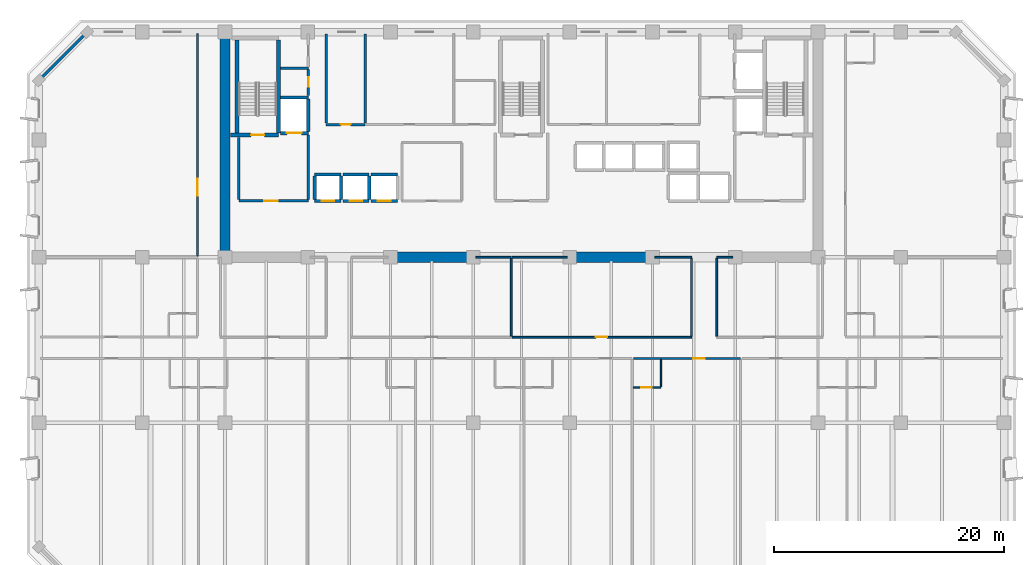
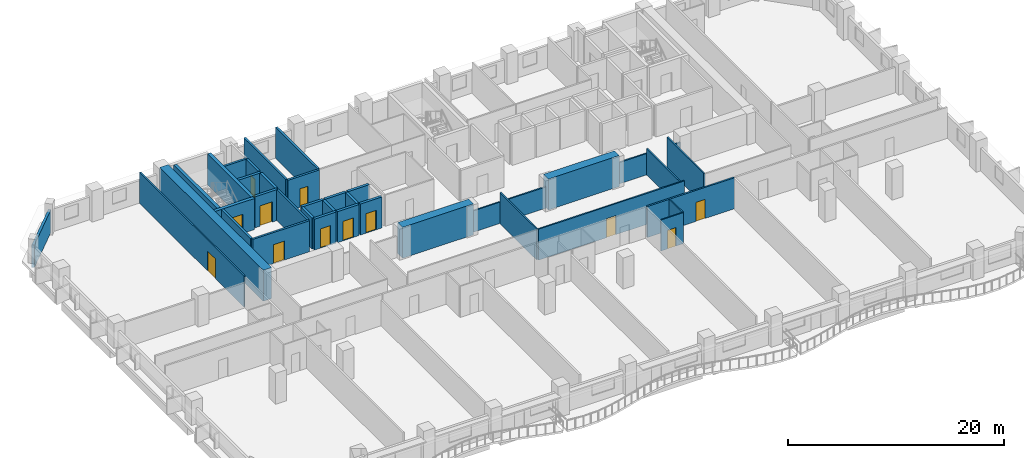
# One storey, part 6 of 14: 39 walls, 12 doors, 12 openings.
"""IFC4 building model written with IfcOpenShell, lengths in metres."""

from ifc_helpers import new_model, si_unit, direction, frame, frame_2d, origin, place, context, subcontext, project, spatial, rectangle, extrude, material, layer, layer_set, type_object, element, fill, save


model = new_model("IFC4")

# Units and contexts
model_context = context("Model", 3, precision=1e-05, world=origin(), true_north=direction((0.0, 1.0)))
body_context = subcontext(model_context, "Body", "Model", "MODEL_VIEW")
ifc_project = project(units=[si_unit("LENGTHUNIT", "METRE"), si_unit("AREAUNIT", "SQUARE_METRE"), si_unit("VOLUMEUNIT", "CUBIC_METRE"), si_unit("PLANEANGLEUNIT", "RADIAN"), si_unit("MASSUNIT", "GRAM", prefix="KILO")], contexts=[model_context])

# Site, building, storey
site_placement = place(None, origin())
site = spatial("IfcSite", under=ifc_project, at=site_placement, CompositionType="ELEMENT")
building_placement = place(site_placement, origin())
building = spatial("IfcBuilding", under=site, at=building_placement, Name="Kaelvorn Grand Hotel", CompositionType="ELEMENT")
storey_placement = place(building_placement, frame((0.0, 0.0, 93.050048828125)))
storey = spatial("IfcBuildingStorey", under=building, at=storey_placement, Name="L21", CompositionType="ELEMENT", Elevation=93.050048828125)

# Walls
ifc_material_1 = material(Name="Concrete C60/75", Category="concrete")
ifc_layer_1 = layer(ifc_material_1, 0.89990234375)
ifc_layer_set_1 = layer_set([ifc_layer_1], Name="Concrete C60/75")
wall_type_1 = type_object("IfcWallType", Name="WL-CORE-900-C60", PredefinedType="SHEAR", material=ifc_layer_set_1)
wall_1_placement = place(storey_placement, frame((16.199951171875, 29.39990234375, 0.0), z_axis=(0.0, 0.0, 1.0), x_axis=(0.0, 1.0, 0.0)))
element("IfcWall", 1, at=wall_1_placement, inside=storey, type_object=wall_type_1, Name="L21 Rear-Core West Shear Wall", PredefinedType="SHEAR", context=body_context, shape_type="SweptSolid", body=[
    extrude(rectangle(XDim=19.2001953125, YDim=0.89990234375, at=frame_2d((9.60009765625, 0.0))), origin(), (0.0, 0.0, 1.0), 3.510009765625),
])
for number, where, z_axis, x_axis, name in (
    (2, (30.39990234375, 29.39990234375, 0.0), (0.0, 0.0, 1.0), (1.0, 0.0, 0.0), "L21 Rear-Core Coupled Shear Pier S2"),
    (3, (46.0, 29.39990234375, 0.0), (0.0, 0.0, 1.0), (1.0, 0.0, 0.0), "L21 Rear-Core Coupled Shear Pier S3"),
):
    element("IfcWall", number, at=place(storey_placement, frame(where, z_axis=z_axis, x_axis=x_axis)), inside=storey, type_object=wall_type_1, Name=name, PredefinedType="SHEAR", context=body_context, shape_type="SweptSolid", body=[
        extrude(rectangle(XDim=7.60009765625, YDim=0.89990234375, at=frame_2d((3.800048828125, 0.0))), origin(), (0.0, 0.0, 1.0), 3.510009765625),
    ])
ifc_material_2 = material(Name="Concrete C40/50", Category="concrete")
ifc_layer_2 = layer(ifc_material_2, 0.260009765625)
ifc_layer_set_2 = layer_set([ifc_layer_2], Name="Concrete C40/50")
wall_type_2 = type_object("IfcWallType", Name="WL-EXT-260-C40", PredefinedType="SOLIDWALL", material=ifc_layer_set_2)
wall_2_placement = place(storey_placement, frame((4.199951171875, 49.0, 0.0), z_axis=(0.0, 0.0, 1.0), x_axis=(-0.707106781187, -0.707106781187, 0.0)))
element("IfcWall", 4, at=wall_2_placement, inside=storey, type_object=wall_type_2, Name="L21 Exterior Architectural Concrete Wall 06", PredefinedType="SOLIDWALL", context=body_context, shape_type="SweptSolid", body=[
    extrude(rectangle(XDim=5.939697265625, YDim=0.260009765625, at=frame_2d((2.9697265625, 0.0))), origin(), (0.0, 0.0, 1.0), 2.56005859375),
])

# Wall, opening, door
ifc_material_3 = material(Name="Moisture-Resistant Tile & Stud Board")
ifc_layer_3 = layer(ifc_material_3, 0.125)
ifc_layer_set_3 = layer_set([ifc_layer_3], Name="Moisture-Resistant Tile & Stud Board")
wall_type_3 = type_object("IfcWallType", Name="WL-PART-125-WET", PredefinedType="PARTITIONING", material=ifc_layer_set_3)
wall_3_placement = place(storey_placement, frame((51.7333984375, 18.050048828125, 0.0), z_axis=(0.0, 0.0, 1.0), x_axis=(1.0, 0.0, 0.0)))
wall_3 = element("IfcWall", 5, at=wall_3_placement, inside=storey, type_object=wall_type_3, Name="L21 En-suite Bathroom L21-06 S Partition", PredefinedType="PARTITIONING", context=body_context, shape_type="SweptSolid", body=[
    extrude(rectangle(XDim=2.405029296875, YDim=0.125, at=frame_2d((1.20263671875, 0.0))), origin(), (0.0, 0.0, 1.0), 3.510009765625),
])
opening_1_placement = place(wall_3_placement, frame((0.705078125, 0.0, 0.0)))
opening_1 = element("IfcOpeningElement", 6, at=opening_1_placement, cuts=wall_3, Name="Opening DI4", PredefinedType="OPENING", context=body_context, shape_type="SweptSolid", body=[
    extrude(rectangle(XDim=0.89990234375, YDim=2.10009765625, at=frame_2d((0.449951171875, 1.050048828125))), frame((0.0, 0.072509765625, 0.0), z_axis=(0.0, -1.0, 0.0), x_axis=(1.0, 0.0, 0.0)), (0.0, 0.0, 1.0), 0.14501953125),
])
ifc_material_4 = material(Name="Timber Veneer Leaf", Category="wood")
door_type_1 = type_object("IfcDoorType", Name="DR-INT-BATH-900x2100", OperationType="NOTDEFINED", PredefinedType="DOOR", material=ifc_material_4)
door_1_placement = place(opening_1_placement, origin())
door_1 = element("IfcDoor", 7, at=door_1_placement, inside=storey, type_object=door_type_1, Name="L21 En-suite Bathroom L21-06 Door", OperationType="SINGLE_SWING_LEFT", OverallHeight=2.10009765625, OverallWidth=0.89990234375, PredefinedType="DOOR", context=body_context, shape_type="SweptSolid", body=[
    extrude(rectangle(XDim=0.89990234375, YDim=2.10009765625, at=frame_2d((0.449951171875, 1.050048828125))), frame((0.0, 0.02490234375, 0.0), z_axis=(0.0, -1.0, 0.0), x_axis=(1.0, 0.0, 0.0)), (0.0, 0.0, 1.0), 0.050048828125),
])
fill(opening_1, door_1)

# Walls
wall_4_placement = place(storey_placement, frame((54.138427734375, 18.117431640625, 0.0), z_axis=(0.0, 0.0, 1.0), x_axis=(0.0, 1.0, 0.0)))
element("IfcWall", 8, at=wall_4_placement, inside=storey, type_object=wall_type_3, Name="L21 En-suite Bathroom L21-06 E Partition", PredefinedType="PARTITIONING", context=body_context, shape_type="SweptSolid", body=[
    extrude(rectangle(XDim=2.387451171875, YDim=0.125, at=frame_2d((1.19384765625, 0.0))), origin(), (0.0, 0.0, 1.0), 3.510009765625),
])
ifc_material_5 = material(Name="Acoustic Gypsum & Stud Partition")
ifc_layer_4 = layer(ifc_material_5, 0.14990234375)
ifc_layer_set_4 = layer_set([ifc_layer_4], Name="Acoustic Gypsum & Stud Partition")
wall_type_4 = type_object("IfcWallType", Name="WL-PART-150-EI60", PredefinedType="PARTITIONING", material=ifc_layer_set_4)
wall_5_placement = place(storey_placement, frame((38.010009765625, 29.39990234375, 0.0), z_axis=(0.0, 0.0, 1.0), x_axis=(1.0, 0.0, 0.0)))
element("IfcWall", 9, at=wall_5_placement, inside=storey, type_object=wall_type_4, Name="L21 Pastry & Tea Kitchen N Partition (2)", PredefinedType="PARTITIONING", context=body_context, shape_type="SweptSolid", body=[
    extrude(rectangle(XDim=3.090087890625, YDim=0.14990234375, at=frame_2d((1.544921875, 0.0))), origin(), (0.0, 0.0, 1.0), 2.409912109375),
])
wall_6_placement = place(storey_placement, frame((41.10009765625, 22.530029296875, 0.0), z_axis=(0.0, 0.0, 1.0), x_axis=(0.0, 1.0, 0.0)))
element("IfcWall", 10, at=wall_6_placement, inside=storey, type_object=wall_type_4, Name="L21 Pastry & Tea Kitchen E Partition", PredefinedType="PARTITIONING", context=body_context, shape_type="SweptSolid", body=[
    extrude(rectangle(XDim=6.7900390625, YDim=0.14990234375, at=frame_2d((3.39501953125, 0.0))), origin(), (0.0, 0.0, 1.0), 3.510009765625),
])

# Wall, opening, door
wall_7_placement = place(storey_placement, frame((41.179931640625, 22.449951171875, 0.0), z_axis=(0.0, 0.0, 1.0), x_axis=(1.0, 0.0, 0.0)))
wall_7 = element("IfcWall", 11, at=wall_7_placement, inside=storey, type_object=wall_type_4, Name="L21 Family Sitting Room S Partition", PredefinedType="PARTITIONING", context=body_context, shape_type="SweptSolid", body=[
    extrude(rectangle(XDim=15.6201171875, YDim=0.14990234375, at=frame_2d((7.81005859375, 0.0))), origin(), (0.0, 0.0, 1.0), 3.510009765625),
])
opening_2_placement = place(wall_7_placement, frame((7.27001953125, 0.0, 0.0)))
opening_2 = element("IfcOpeningElement", 12, at=opening_2_placement, cuts=wall_7, Name="Opening DI3", PredefinedType="OPENING", context=body_context, shape_type="SweptSolid", body=[
    extrude(rectangle(XDim=1.0, YDim=2.14990234375, at=frame_2d((0.5, 1.074951171875))), frame((0.0, 0.0849609375, 0.0), z_axis=(0.0, -1.0, 0.0), x_axis=(1.0, 0.0, 0.0)), (0.0, 0.0, 1.0), 0.169921875),
])
ifc_material_6 = material(Name="Timber Veneer Fire Leaf", Category="wood")
door_type_2 = type_object("IfcDoorType", Name="DR-INT-GUEST-1000x2150", OperationType="NOTDEFINED", PredefinedType="DOOR", material=ifc_material_6)
door_2_placement = place(opening_2_placement, origin())
door_2 = element("IfcDoor", 13, at=door_2_placement, inside=storey, type_object=door_type_2, Name="L21 Family Sitting Room Door", OperationType="SINGLE_SWING_RIGHT", OverallHeight=2.14990234375, OverallWidth=1.0, PredefinedType="DOOR", context=body_context, shape_type="SweptSolid", body=[
    extrude(rectangle(XDim=1.0, YDim=2.14990234375, at=frame_2d((0.5, 1.074951171875))), frame((0.0, 0.02490234375, 0.0), z_axis=(0.0, -1.0, 0.0), x_axis=(1.0, 0.0, 0.0)), (0.0, 0.0, 1.0), 0.050048828125),
])
fill(opening_2, door_2)

# Walls
wall_8_placement = place(storey_placement, frame((41.179931640625, 29.39990234375, 0.0), z_axis=(0.0, 0.0, 1.0), x_axis=(1.0, 0.0, 0.0)))
element("IfcWall", 14, at=wall_8_placement, inside=storey, type_object=wall_type_4, Name="L21 Family Sitting Room N Partition (1)", PredefinedType="PARTITIONING", context=body_context, shape_type="SweptSolid", body=[
    extrude(rectangle(XDim=4.81005859375, YDim=0.14990234375, at=frame_2d((2.405029296875, 0.0))), origin(), (0.0, 0.0, 1.0), 2.409912109375),
])
wall_9_placement = place(storey_placement, frame((53.610107421875, 29.39990234375, 0.0), z_axis=(0.0, 0.0, 1.0), x_axis=(1.0, 0.0, 0.0)))
element("IfcWall", 15, at=wall_9_placement, inside=storey, type_object=wall_type_4, Name="L21 Family Sitting Room N Partition (2)", PredefinedType="PARTITIONING", context=body_context, shape_type="SweptSolid", body=[
    extrude(rectangle(XDim=3.18994140625, YDim=0.14990234375, at=frame_2d((1.594970703125, 0.0))), origin(), (0.0, 0.0, 1.0), 2.409912109375),
])
wall_10_placement = place(storey_placement, frame((56.800048828125, 22.530029296875, 0.0), z_axis=(0.0, 0.0, 1.0), x_axis=(0.0, 1.0, 0.0)))
element("IfcWall", 16, at=wall_10_placement, inside=storey, type_object=wall_type_4, Name="L21 Family Sitting Room E Partition", PredefinedType="PARTITIONING", context=body_context, shape_type="SweptSolid", body=[
    extrude(rectangle(XDim=6.7900390625, YDim=0.14990234375, at=frame_2d((3.39501953125, 0.0))), origin(), (0.0, 0.0, 1.0), 2.976806640625),
])
wall_11_placement = place(storey_placement, frame((59.0, 29.39990234375, 0.0), z_axis=(0.0, 0.0, 1.0), x_axis=(1.0, 0.0, 0.0)))
element("IfcWall", 17, at=wall_11_placement, inside=storey, type_object=wall_type_4, Name="L21 VIP Dining Restaurant N Partition", PredefinedType="PARTITIONING", context=body_context, shape_type="SweptSolid", body=[
    extrude(rectangle(XDim=1.389892578125, YDim=0.14990234375, at=frame_2d((0.69482421875, 0.0))), origin(), (0.0, 0.0, 1.0), 2.409912109375),
])
wall_12_placement = place(storey_placement, frame((59.0, 22.530029296875, 0.0), z_axis=(0.0, 0.0, 1.0), x_axis=(0.0, 1.0, 0.0)))
element("IfcWall", 18, at=wall_12_placement, inside=storey, type_object=wall_type_4, Name="L21 VIP Dining Restaurant W Partition", PredefinedType="PARTITIONING", context=body_context, shape_type="SweptSolid", body=[
    extrude(rectangle(XDim=6.7900390625, YDim=0.14990234375, at=frame_2d((3.39501953125, 0.0))), origin(), (0.0, 0.0, 1.0), 3.510009765625),
])

# Wall, opening, door
wall_13_placement = place(storey_placement, frame((13.800048828125, 29.4951171875, 0.0), z_axis=(0.0, 0.0, 1.0), x_axis=(0.0, 1.0, 0.0)))
wall_13 = element("IfcWall", 19, at=wall_13_placement, inside=storey, type_object=wall_type_4, Name="L21 North-West Family Sitting Room E Partition", PredefinedType="PARTITIONING", context=body_context, shape_type="SweptSolid", body=[
    extrude(rectangle(XDim=19.35498046875, YDim=0.14990234375, at=frame_2d((9.677490234375, 0.0))), origin(), (0.0, 0.0, 1.0), 3.510009765625),
])
opening_3_placement = place(wall_13_placement, frame((5.2548828125, 0.0, 0.0)))
opening_3 = element("IfcOpeningElement", 20, at=opening_3_placement, cuts=wall_13, Name="Opening DI5", PredefinedType="OPENING", context=body_context, shape_type="SweptSolid", body=[
    extrude(rectangle(XDim=1.5, YDim=2.25, at=frame_2d((0.75, 1.125))), frame((0.0, 0.0849609375, 0.0), z_axis=(0.0, -1.0, 0.0), x_axis=(1.0, 0.0, 0.0)), (0.0, 0.0, 1.0), 0.169921875),
])
door_type_3 = type_object("IfcDoorType", Name="DR-INT-SALON-1500x2250", OperationType="DOUBLE_DOOR_SINGLE_SWING", PredefinedType="DOOR", material=ifc_material_6)
door_3_placement = place(opening_3_placement, origin())
door_3 = element("IfcDoor", 21, at=door_3_placement, inside=storey, type_object=door_type_3, Name="L21 North-West Family Sitting Room Door", OperationType="DOUBLE_DOOR_SINGLE_SWING", OverallHeight=2.25, OverallWidth=1.5, PredefinedType="DOOR", context=body_context, shape_type="SweptSolid", body=[
    extrude(rectangle(XDim=1.5, YDim=2.25, at=frame_2d((0.75, 1.125))), frame((0.0, 0.02490234375, 0.0), z_axis=(0.0, -1.0, 0.0), x_axis=(1.0, 0.0, 0.0)), (0.0, 0.0, 1.0), 0.050048828125),
])
fill(opening_3, door_3)

ifc_layer_5 = layer(ifc_material_5, 0.179931640625)
ifc_layer_set_5 = layer_set([ifc_layer_5], Name="Acoustic Gypsum & Stud Partition")
wall_type_5 = type_object("IfcWallType", Name="WL-PART-180-EI60", PredefinedType="PARTITIONING", material=ifc_layer_set_5)
wall_14_placement = place(storey_placement, frame((51.7333984375, 20.60009765625, 0.0), z_axis=(0.0, 0.0, 1.0), x_axis=(1.0, 0.0, 0.0)))
wall_14 = element("IfcWall", 22, at=wall_14_placement, inside=storey, type_object=wall_type_5, Name="L21 Deluxe Panoramic Suite L21-06 N Partition", PredefinedType="PARTITIONING", context=body_context, shape_type="SweptSolid", body=[
    extrude(rectangle(XDim=9.3427734375, YDim=0.179931640625, at=frame_2d((4.67138671875, 0.0))), origin(), (0.0, 0.0, 1.0), 3.510009765625),
])
opening_4_placement = place(wall_14_placement, frame((5.19580078125, 0.0, 0.0)))
opening_4 = element("IfcOpeningElement", 23, at=opening_4_placement, cuts=wall_14, Name="Opening DI3", PredefinedType="OPENING", context=body_context, shape_type="SweptSolid", body=[
    extrude(rectangle(XDim=1.0, YDim=2.14990234375, at=frame_2d((0.5, 1.074951171875))), frame((0.0, 0.10009765625, 0.0), z_axis=(0.0, -1.0, 0.0), x_axis=(1.0, 0.0, 0.0)), (0.0, 0.0, 1.0), 0.199951171875),
])
door_4_placement = place(opening_4_placement, origin())
door_4 = element("IfcDoor", 24, at=door_4_placement, inside=storey, type_object=door_type_2, Name="L21 Deluxe Panoramic Suite L21-06 Door", OperationType="SINGLE_SWING_RIGHT", OverallHeight=2.14990234375, OverallWidth=1.0, PredefinedType="DOOR", context=body_context, shape_type="SweptSolid", body=[
    extrude(rectangle(XDim=1.0, YDim=2.14990234375, at=frame_2d((0.5, 1.074951171875))), frame((0.0, 0.02490234375, 0.0), z_axis=(0.0, -1.0, 0.0), x_axis=(1.0, 0.0, 0.0)), (0.0, 0.0, 1.0), 0.050048828125),
])
fill(opening_4, door_4)

ifc_layer_6 = layer(ifc_material_2, 0.219970703125)
ifc_layer_set_6 = layer_set([ifc_layer_6], Name="Concrete C40/50")
wall_type_6 = type_object("IfcWallType", Name="WL-PART-220-EI120", PredefinedType="PARTITIONING", material=ifc_layer_set_6)
wall_15_placement = place(storey_placement, frame((17.39990234375, 34.300048828125, 0.0), z_axis=(0.0, 0.0, 1.0), x_axis=(1.0, 0.0, 0.0)))
wall_15 = element("IfcWall", 25, at=wall_15_placement, inside=storey, type_object=wall_type_6, Name="L21 Firefighting Lift Lobby 1 S Partition", PredefinedType="PARTITIONING", context=body_context, shape_type="SweptSolid", body=[
    extrude(rectangle(XDim=6.050048828125, YDim=0.219970703125, at=frame_2d((3.02490234375, 0.0))), origin(), (0.0, 0.0, 1.0), 3.510009765625),
])
opening_5_placement = place(wall_15_placement, frame((2.199951171875, 0.0, 0.0)))
opening_5 = element("IfcOpeningElement", 26, at=opening_5_placement, cuts=wall_15, Name="Opening DI2", PredefinedType="OPENING", context=body_context, shape_type="SweptSolid", body=[
    extrude(rectangle(XDim=1.199951171875, YDim=2.14990234375, at=frame_2d((0.60009765625, 1.074951171875))), frame((0.0, 0.1201171875, 0.0), z_axis=(0.0, -1.0, 0.0), x_axis=(1.0, 0.0, 0.0)), (0.0, 0.0, 1.0), 0.239990234375),
])
door_type_4 = type_object("IfcDoorType", Name="DR-INT-FFLOB-1200x2150", OperationType="NOTDEFINED", PredefinedType="DOOR", material=ifc_material_6)
door_5_placement = place(opening_5_placement, origin())
door_5 = element("IfcDoor", 27, at=door_5_placement, inside=storey, type_object=door_type_4, Name="L21 Firefighting Lift Lobby 1 Door", OperationType="SINGLE_SWING_RIGHT", OverallHeight=2.14990234375, OverallWidth=1.199951171875, PredefinedType="DOOR", context=body_context, shape_type="SweptSolid", body=[
    extrude(rectangle(XDim=1.199951171875, YDim=2.14990234375, at=frame_2d((0.60009765625, 1.074951171875))), frame((0.0, 0.02490234375, 0.0), z_axis=(0.0, -1.0, 0.0), x_axis=(1.0, 0.0, 0.0)), (0.0, 0.0, 1.0), 0.050048828125),
])
fill(opening_5, door_5)

# Walls
wall_16_placement = place(storey_placement, frame((17.39990234375, 34.4150390625, 0.0), z_axis=(0.0, 0.0, 1.0), x_axis=(0.0, 1.0, 0.0)))
element("IfcWall", 28, at=wall_16_placement, inside=storey, type_object=wall_type_6, Name="L21 Firefighting Lift Lobby 1 W Partition", PredefinedType="PARTITIONING", context=body_context, shape_type="SweptSolid", body=[
    extrude(rectangle(XDim=5.429931640625, YDim=0.219970703125, at=frame_2d((2.71484375, 0.0))), origin(), (0.0, 0.0, 1.0), 3.510009765625),
])
wall_17_placement = place(storey_placement, frame((23.449951171875, 34.4150390625, 0.0), z_axis=(0.0, 0.0, 1.0), x_axis=(0.0, 1.0, 0.0)))
element("IfcWall", 29, at=wall_17_placement, inside=storey, type_object=wall_type_6, Name="L21 Firefighting Lift Lobby 1 E Partition", PredefinedType="PARTITIONING", context=body_context, shape_type="SweptSolid", body=[
    extrude(rectangle(XDim=5.639892578125, YDim=0.219970703125, at=frame_2d((2.81982421875, 0.0))), origin(), (0.0, 0.0, 1.0), 3.510009765625),
])
wall_18_placement = place(storey_placement, frame((21.034912109375, 45.85009765625, 0.0), z_axis=(0.0, 0.0, 1.0), x_axis=(1.0, 0.0, 0.0)))
element("IfcWall", 30, at=wall_18_placement, inside=storey, type_object=wall_type_6, Name="L21 Wet Fire & Plumbing Riser Shaft N Partition", PredefinedType="PARTITIONING", context=body_context, shape_type="SweptSolid", body=[
    extrude(rectangle(XDim=2.4150390625, YDim=0.219970703125, at=frame_2d((1.20751953125, 0.0))), origin(), (0.0, 0.0, 1.0), 3.510009765625),
])

# Wall, opening, door
wall_19_placement = place(storey_placement, frame((23.449951171875, 43.5, 0.0), z_axis=(0.0, 0.0, 1.0), x_axis=(0.0, 1.0, 0.0)))
wall_19 = element("IfcWall", 31, at=wall_19_placement, inside=storey, type_object=wall_type_6, Name="L21 Wet Fire & Plumbing Riser Shaft E Partition", PredefinedType="PARTITIONING", context=body_context, shape_type="SweptSolid", body=[
    extrude(rectangle(XDim=2.235107421875, YDim=0.219970703125, at=frame_2d((1.11767578125, 0.0))), origin(), (0.0, 0.0, 1.0), 3.510009765625),
])
opening_6_placement = place(wall_19_placement, frame((0.72509765625, 0.0, 0.0)))
opening_6 = element("IfcOpeningElement", 32, at=opening_6_placement, cuts=wall_19, Name="Opening DI7", PredefinedType="OPENING", context=body_context, shape_type="SweptSolid", body=[
    extrude(rectangle(XDim=0.85009765625, YDim=2.10009765625, at=frame_2d((0.425048828125, 1.050048828125))), frame((0.0, 0.1201171875, 0.0), z_axis=(0.0, -1.0, 0.0), x_axis=(1.0, 0.0, 0.0)), (0.0, 0.0, 1.0), 0.239990234375),
])
ifc_material_7 = material(Name="Powder-Coated Steel Leaf", Category="steel")
door_type_5 = type_object("IfcDoorType", Name="DR-INT-RISER-850x2100", OperationType="NOTDEFINED", PredefinedType="DOOR", material=ifc_material_7)
door_6_placement = place(opening_6_placement, origin())
door_6 = element("IfcDoor", 33, at=door_6_placement, inside=storey, type_object=door_type_5, Name="L21 Wet Fire & Plumbing Riser Shaft Door", OperationType="SINGLE_SWING_RIGHT", OverallHeight=2.10009765625, OverallWidth=0.85009765625, PredefinedType="DOOR", context=body_context, shape_type="SweptSolid", body=[
    extrude(rectangle(XDim=0.85009765625, YDim=2.10009765625, at=frame_2d((0.425048828125, 1.050048828125))), frame((0.0, 0.02490234375, 0.0), z_axis=(0.0, -1.0, 0.0), x_axis=(1.0, 0.0, 0.0)), (0.0, 0.0, 1.0), 0.050048828125),
])
fill(opening_6, door_6)

wall_20_placement = place(storey_placement, frame((25.0, 40.949951171875, 0.0), z_axis=(0.0, 0.0, 1.0), x_axis=(1.0, 0.0, 0.0)))
wall_20 = element("IfcWall", 34, at=wall_20_placement, inside=storey, type_object=wall_type_6, Name="L21 Electrical Distribution Room S Partition", PredefinedType="PARTITIONING", context=body_context, shape_type="SweptSolid", body=[
    extrude(rectangle(XDim=3.39990234375, YDim=0.219970703125, at=frame_2d((1.699951171875, 0.0))), origin(), (0.0, 0.0, 1.0), 3.510009765625),
])
opening_7_placement = place(wall_20_placement, frame((1.27490234375, 0.0, 0.0)))
opening_7 = element("IfcOpeningElement", 35, at=opening_7_placement, cuts=wall_20, Name="Opening DI7", PredefinedType="OPENING", context=body_context, shape_type="SweptSolid", body=[
    extrude(rectangle(XDim=0.85009765625, YDim=2.10009765625, at=frame_2d((0.425048828125, 1.050048828125))), frame((0.0, 0.1201171875, 0.0), z_axis=(0.0, -1.0, 0.0), x_axis=(1.0, 0.0, 0.0)), (0.0, 0.0, 1.0), 0.239990234375),
])
door_7_placement = place(opening_7_placement, origin())
door_7 = element("IfcDoor", 36, at=door_7_placement, inside=storey, type_object=door_type_5, Name="L21 Electrical Distribution Room Door", OperationType="SINGLE_SWING_LEFT", OverallHeight=2.10009765625, OverallWidth=0.85009765625, PredefinedType="DOOR", context=body_context, shape_type="SweptSolid", body=[
    extrude(rectangle(XDim=0.85009765625, YDim=2.10009765625, at=frame_2d((0.425048828125, 1.050048828125))), frame((0.0, 0.02490234375, 0.0), z_axis=(0.0, -1.0, 0.0), x_axis=(1.0, 0.0, 0.0)), (0.0, 0.0, 1.0), 0.050048828125),
])
fill(opening_7, door_7)

# Walls
for number, where, z_axis, x_axis, name in (
    (37, (25.0, 41.06494140625, 0.0), (0.0, 0.0, 1.0), (0.0, 1.0, 0.0), "L21 Electrical Distribution Room W Partition"),
    (38, (28.39990234375, 41.06494140625, 0.0), (0.0, 0.0, 1.0), (0.0, 1.0, 0.0), "L21 Electrical Distribution Room E Partition"),
):
    element("IfcWall", number, at=place(storey_placement, frame(where, z_axis=z_axis, x_axis=x_axis)), inside=storey, type_object=wall_type_6, Name=name, PredefinedType="PARTITIONING", context=body_context, shape_type="SweptSolid", body=[
        extrude(rectangle(XDim=7.78515625, YDim=0.219970703125, at=frame_2d((3.892578125, 0.0))), origin(), (0.0, 0.0, 1.0), 3.510009765625),
    ])

# Wall, opening, door
ifc_material_8 = material(Name="Concrete C50/60", Category="concrete")
ifc_layer_7 = layer(ifc_material_8, 0.280029296875)
ifc_layer_set_7 = layer_set([ifc_layer_7], Name="Concrete C50/60")
wall_type_7 = type_object("IfcWallType", Name="WL-SHAFT-280-C50", PredefinedType="SHEAR", material=ifc_layer_set_7)
wall_21_placement = place(storey_placement, frame((24.0, 34.300048828125, 0.0), z_axis=(0.0, 0.0, 1.0), x_axis=(1.0, 0.0, 0.0)))
wall_21 = element("IfcWall", 39, at=wall_21_placement, inside=storey, type_object=wall_type_7, Name="L21 Lift PL-L1 Shaft South Wall", PredefinedType="SHEAR", context=body_context, shape_type="SweptSolid", body=[
    extrude(rectangle(XDim=2.300048828125, YDim=0.280029296875, at=frame_2d((1.14990234375, 0.0))), origin(), (0.0, 0.0, 1.0), 3.510009765625),
])
opening_8_placement = place(wall_21_placement, frame((0.60009765625, 0.0, 0.0)))
opening_8 = element("IfcOpeningElement", 40, at=opening_8_placement, cuts=wall_21, Name="Opening LD-PL-L1", PredefinedType="OPENING", context=body_context, shape_type="SweptSolid", body=[
    extrude(rectangle(XDim=1.10009765625, YDim=2.199951171875, at=frame_2d((0.550048828125, 1.10009765625))), frame((0.0, 0.14990234375, 0.0), z_axis=(0.0, -1.0, 0.0), x_axis=(1.0, 0.0, 0.0)), (0.0, 0.0, 1.0), 0.300048828125),
])
ifc_material_9 = material(Name="Stainless Steel", Category="steel")
door_type_6 = type_object("IfcDoorType", Name="DR-LIFT-PASS-1100x2200", OperationType="DOUBLE_DOOR_SLIDING", PredefinedType="DOOR", material=ifc_material_9)
door_8_placement = place(opening_8_placement, origin())
door_8 = element("IfcDoor", 41, at=door_8_placement, inside=storey, type_object=door_type_6, Name="L21 Lift PL-L1 Sliding Landing Door LD-PL-L1", OperationType="DOUBLE_DOOR_SLIDING", OverallHeight=2.199951171875, OverallWidth=1.10009765625, PredefinedType="DOOR", context=body_context, shape_type="SweptSolid", body=[
    extrude(rectangle(XDim=1.10009765625, YDim=2.199951171875, at=frame_2d((0.550048828125, 1.10009765625))), frame((0.0, 0.02490234375, 0.0), z_axis=(0.0, -1.0, 0.0), x_axis=(1.0, 0.0, 0.0)), (0.0, 0.0, 1.0), 0.050048828125),
])
fill(opening_8, door_8)

# Walls
wall_22_placement = place(storey_placement, frame((24.0, 36.60009765625, 0.0), z_axis=(0.0, 0.0, 1.0), x_axis=(1.0, 0.0, 0.0)))
element("IfcWall", 42, at=wall_22_placement, inside=storey, type_object=wall_type_7, Name="L21 Lift PL-L1 Shaft North Wall", PredefinedType="SHEAR", context=body_context, shape_type="SweptSolid", body=[
    extrude(rectangle(XDim=2.300048828125, YDim=0.280029296875, at=frame_2d((1.14990234375, 0.0))), origin(), (0.0, 0.0, 1.0), 3.510009765625),
])
for number, where, z_axis, x_axis, name in (
    (43, (24.0, 34.445068359375, 0.0), (0.0, 0.0, 1.0), (0.0, 1.0, 0.0), "L21 Lift PL-L1 Shaft West Wall"),
    (44, (26.300048828125, 34.445068359375, 0.0), (0.0, 0.0, 1.0), (0.0, 1.0, 0.0), "L21 Lift PL-L1 Shaft East Wall"),
):
    element("IfcWall", number, at=place(storey_placement, frame(where, z_axis=z_axis, x_axis=x_axis)), inside=storey, type_object=wall_type_7, Name=name, PredefinedType="SHEAR", context=body_context, shape_type="SweptSolid", body=[
        extrude(rectangle(XDim=2.010009765625, YDim=0.280029296875, at=frame_2d((1.0048828125, 0.0))), origin(), (0.0, 0.0, 1.0), 3.510009765625),
    ])

# Wall, opening, door
wall_23_placement = place(storey_placement, frame((26.449951171875, 34.300048828125, 0.0), z_axis=(0.0, 0.0, 1.0), x_axis=(1.0, 0.0, 0.0)))
wall_23 = element("IfcWall", 45, at=wall_23_placement, inside=storey, type_object=wall_type_7, Name="L21 Lift PL-L2 Shaft South Wall", PredefinedType="SHEAR", context=body_context, shape_type="SweptSolid", body=[
    extrude(rectangle(XDim=2.300048828125, YDim=0.280029296875, at=frame_2d((1.14990234375, 0.0))), origin(), (0.0, 0.0, 1.0), 3.510009765625),
])
opening_9_placement = place(wall_23_placement, frame((0.60009765625, 0.0, 0.0)))
opening_9 = element("IfcOpeningElement", 46, at=opening_9_placement, cuts=wall_23, Name="Opening LD-PL-L2", PredefinedType="OPENING", context=body_context, shape_type="SweptSolid", body=[
    extrude(rectangle(XDim=1.10009765625, YDim=2.199951171875, at=frame_2d((0.550048828125, 1.10009765625))), frame((0.0, 0.14990234375, 0.0), z_axis=(0.0, -1.0, 0.0), x_axis=(1.0, 0.0, 0.0)), (0.0, 0.0, 1.0), 0.300048828125),
])
door_9_placement = place(opening_9_placement, origin())
door_9 = element("IfcDoor", 47, at=door_9_placement, inside=storey, type_object=door_type_6, Name="L21 Lift PL-L2 Sliding Landing Door LD-PL-L2", OperationType="DOUBLE_DOOR_SLIDING", OverallHeight=2.199951171875, OverallWidth=1.10009765625, PredefinedType="DOOR", context=body_context, shape_type="SweptSolid", body=[
    extrude(rectangle(XDim=1.10009765625, YDim=2.199951171875, at=frame_2d((0.550048828125, 1.10009765625))), frame((0.0, 0.02490234375, 0.0), z_axis=(0.0, -1.0, 0.0), x_axis=(1.0, 0.0, 0.0)), (0.0, 0.0, 1.0), 0.050048828125),
])
fill(opening_9, door_9)

# Walls
wall_24_placement = place(storey_placement, frame((26.449951171875, 36.60009765625, 0.0), z_axis=(0.0, 0.0, 1.0), x_axis=(1.0, 0.0, 0.0)))
element("IfcWall", 48, at=wall_24_placement, inside=storey, type_object=wall_type_7, Name="L21 Lift PL-L2 Shaft North Wall", PredefinedType="SHEAR", context=body_context, shape_type="SweptSolid", body=[
    extrude(rectangle(XDim=2.300048828125, YDim=0.280029296875, at=frame_2d((1.14990234375, 0.0))), origin(), (0.0, 0.0, 1.0), 3.510009765625),
])
wall_25_placement = place(storey_placement, frame((28.75, 34.445068359375, 0.0), z_axis=(0.0, 0.0, 1.0), x_axis=(0.0, 1.0, 0.0)))
element("IfcWall", 49, at=wall_25_placement, inside=storey, type_object=wall_type_7, Name="L21 Lift PL-L2 Shaft East Wall", PredefinedType="SHEAR", context=body_context, shape_type="SweptSolid", body=[
    extrude(rectangle(XDim=2.010009765625, YDim=0.280029296875, at=frame_2d((1.0048828125, 0.0))), origin(), (0.0, 0.0, 1.0), 3.510009765625),
])

# Wall, opening, door
wall_26_placement = place(storey_placement, frame((28.89990234375, 34.300048828125, 0.0), z_axis=(0.0, 0.0, 1.0), x_axis=(1.0, 0.0, 0.0)))
wall_26 = element("IfcWall", 50, at=wall_26_placement, inside=storey, type_object=wall_type_7, Name="L21 Lift PL-L3 Shaft South Wall", PredefinedType="SHEAR", context=body_context, shape_type="SweptSolid", body=[
    extrude(rectangle(XDim=2.300048828125, YDim=0.280029296875, at=frame_2d((1.14990234375, 0.0))), origin(), (0.0, 0.0, 1.0), 3.510009765625),
])
opening_10_placement = place(wall_26_placement, frame((0.60009765625, 0.0, 0.0)))
opening_10 = element("IfcOpeningElement", 51, at=opening_10_placement, cuts=wall_26, Name="Opening LD-PL-L3", PredefinedType="OPENING", context=body_context, shape_type="SweptSolid", body=[
    extrude(rectangle(XDim=1.10009765625, YDim=2.199951171875, at=frame_2d((0.550048828125, 1.10009765625))), frame((0.0, 0.14990234375, 0.0), z_axis=(0.0, -1.0, 0.0), x_axis=(1.0, 0.0, 0.0)), (0.0, 0.0, 1.0), 0.300048828125),
])
door_10_placement = place(opening_10_placement, origin())
door_10 = element("IfcDoor", 52, at=door_10_placement, inside=storey, type_object=door_type_6, Name="L21 Lift PL-L3 Sliding Landing Door LD-PL-L3", OperationType="DOUBLE_DOOR_SLIDING", OverallHeight=2.199951171875, OverallWidth=1.10009765625, PredefinedType="DOOR", context=body_context, shape_type="SweptSolid", body=[
    extrude(rectangle(XDim=1.10009765625, YDim=2.199951171875, at=frame_2d((0.550048828125, 1.10009765625))), frame((0.0, 0.02490234375, 0.0), z_axis=(0.0, -1.0, 0.0), x_axis=(1.0, 0.0, 0.0)), (0.0, 0.0, 1.0), 0.050048828125),
])
fill(opening_10, door_10)

# Wall
wall_27_placement = place(storey_placement, frame((28.89990234375, 36.60009765625, 0.0), z_axis=(0.0, 0.0, 1.0), x_axis=(1.0, 0.0, 0.0)))
element("IfcWall", 53, at=wall_27_placement, inside=storey, type_object=wall_type_7, Name="L21 Lift PL-L3 Shaft North Wall", PredefinedType="SHEAR", context=body_context, shape_type="SweptSolid", body=[
    extrude(rectangle(XDim=2.300048828125, YDim=0.280029296875, at=frame_2d((1.14990234375, 0.0))), origin(), (0.0, 0.0, 1.0), 3.510009765625),
])

# Wall, opening, door
wall_28_placement = place(storey_placement, frame((21.034912109375, 40.199951171875, 0.0), z_axis=(0.0, 0.0, 1.0), x_axis=(1.0, 0.0, 0.0)))
wall_28 = element("IfcWall", 54, at=wall_28_placement, inside=storey, type_object=wall_type_7, Name="L21 Lift FFL1 Shaft South Wall", PredefinedType="SHEAR", context=body_context, shape_type="SweptSolid", body=[
    extrude(rectangle(XDim=2.4150390625, YDim=0.280029296875, at=frame_2d((1.20751953125, 0.0))), origin(), (0.0, 0.0, 1.0), 3.510009765625),
])
opening_11_placement = place(wall_28_placement, frame((0.5400390625, 0.0, 0.0)))
opening_11 = element("IfcOpeningElement", 55, at=opening_11_placement, cuts=wall_28, Name="Opening LD-FFL1", PredefinedType="OPENING", context=body_context, shape_type="SweptSolid", body=[
    extrude(rectangle(XDim=1.300048828125, YDim=2.300048828125, at=frame_2d((0.64990234375, 1.14990234375))), frame((0.0, 0.14990234375, 0.0), z_axis=(0.0, -1.0, 0.0), x_axis=(1.0, 0.0, 0.0)), (0.0, 0.0, 1.0), 0.300048828125),
])
door_type_7 = type_object("IfcDoorType", Name="DR-LIFT-SERV-1300x2300", OperationType="DOUBLE_DOOR_SLIDING", PredefinedType="DOOR", material=ifc_material_9)
door_11_placement = place(opening_11_placement, origin())
door_11 = element("IfcDoor", 56, at=door_11_placement, inside=storey, type_object=door_type_7, Name="L21 Lift FFL1 Sliding Landing Door LD-FFL1", OperationType="DOUBLE_DOOR_SLIDING", OverallHeight=2.300048828125, OverallWidth=1.300048828125, PredefinedType="DOOR", context=body_context, shape_type="SweptSolid", body=[
    extrude(rectangle(XDim=1.300048828125, YDim=2.300048828125, at=frame_2d((0.64990234375, 1.14990234375))), frame((0.0, 0.02490234375, 0.0), z_axis=(0.0, -1.0, 0.0), x_axis=(1.0, 0.0, 0.0)), (0.0, 0.0, 1.0), 0.050048828125),
])
fill(opening_11, door_11)

# Walls
wall_29_placement = place(storey_placement, frame((21.034912109375, 43.300048828125, 0.0), z_axis=(0.0, 0.0, 1.0), x_axis=(1.0, 0.0, 0.0)))
element("IfcWall", 57, at=wall_29_placement, inside=storey, type_object=wall_type_7, Name="L21 Lift FFL1 Shaft North Wall", PredefinedType="SHEAR", context=body_context, shape_type="SweptSolid", body=[
    extrude(rectangle(XDim=2.4150390625, YDim=0.280029296875, at=frame_2d((1.20751953125, 0.0))), origin(), (0.0, 0.0, 1.0), 3.510009765625),
])
wall_30_placement = place(storey_placement, frame((23.449951171875, 40.344970703125, 0.0), z_axis=(0.0, 0.0, 1.0), x_axis=(0.0, 1.0, 0.0)))
element("IfcWall", 58, at=wall_30_placement, inside=storey, type_object=wall_type_7, Name="L21 Lift FFL1 Shaft East Wall", PredefinedType="SHEAR", context=body_context, shape_type="SweptSolid", body=[
    extrude(rectangle(XDim=2.81005859375, YDim=0.280029296875, at=frame_2d((1.405029296875, 0.0))), origin(), (0.0, 0.0, 1.0), 3.510009765625),
])

# Wall, opening, door
ifc_layer_8 = layer(ifc_material_1, 0.35009765625)
ifc_layer_set_8 = layer_set([ifc_layer_8], Name="Concrete C60/75")
wall_type_8 = type_object("IfcWallType", Name="WL-SHAFT-350-C60", PredefinedType="SHEAR", material=ifc_layer_set_8)
wall_31_placement = place(storey_placement, frame((16.655029296875, 40.02490234375, 0.0), z_axis=(0.0, 0.0, 1.0), x_axis=(1.0, 0.0, 0.0)))
wall_31 = element("IfcWall", 59, at=wall_31_placement, inside=storey, type_object=wall_type_8, Name="L21 ST1 Stair Shaft South Wall", PredefinedType="SHEAR", context=body_context, shape_type="SweptSolid", body=[
    extrude(rectangle(XDim=4.199951171875, YDim=0.35009765625, at=frame_2d((2.10009765625, 0.0))), origin(), (0.0, 0.0, 1.0), 3.510009765625),
])
opening_12_placement = place(wall_31_placement, frame((1.81005859375, 0.0, 0.0)))
opening_12 = element("IfcOpeningElement", 60, at=opening_12_placement, cuts=wall_31, Name="Opening DI1", PredefinedType="OPENING", context=body_context, shape_type="SweptSolid", body=[
    extrude(rectangle(XDim=1.14990234375, YDim=2.14990234375, at=frame_2d((0.574951171875, 1.074951171875))), frame((0.0, 0.18505859375, 0.0), z_axis=(0.0, -1.0, 0.0), x_axis=(1.0, 0.0, 0.0)), (0.0, 0.0, 1.0), 0.3701171875),
])
door_type_8 = type_object("IfcDoorType", Name="DR-INT-STAIR-1150x2150", OperationType="NOTDEFINED", PredefinedType="DOOR", material=ifc_material_6)
door_12_placement = place(opening_12_placement, origin())
door_12 = element("IfcDoor", 61, at=door_12_placement, inside=storey, type_object=door_type_8, Name="L21 ST1 Exit Stair Fire Door", OperationType="SINGLE_SWING_LEFT", OverallHeight=2.14990234375, OverallWidth=1.14990234375, PredefinedType="DOOR", context=body_context, shape_type="SweptSolid", body=[
    extrude(rectangle(XDim=1.14990234375, YDim=2.14990234375, at=frame_2d((0.574951171875, 1.074951171875))), frame((0.0, 0.02490234375, 0.0), z_axis=(0.0, -1.0, 0.0), x_axis=(1.0, 0.0, 0.0)), (0.0, 0.0, 1.0), 0.050048828125),
])
fill(opening_12, door_12)

# Walls
for number, where, z_axis, x_axis, name in (
    (62, (17.22509765625, 40.205078125, 0.0), (0.0, 0.0, 1.0), (0.0, 1.0, 0.0), "L21 ST1 Stair Shaft West Wall"),
    (63, (20.85498046875, 40.205078125, 0.0), (0.0, 0.0, 1.0), (0.0, 1.0, 0.0), "L21 ST1 Stair Shaft East Wall"),
):
    element("IfcWall", number, at=place(storey_placement, frame(where, z_axis=z_axis, x_axis=x_axis)), inside=storey, type_object=wall_type_8, Name=name, PredefinedType="SHEAR", context=body_context, shape_type="SweptSolid", body=[
        extrude(rectangle(XDim=8.08984375, YDim=0.35009765625, at=frame_2d((4.044921875, 0.0))), origin(), (0.0, 0.0, 1.0), 3.510009765625),
    ])

save(model, "model.ifc")
